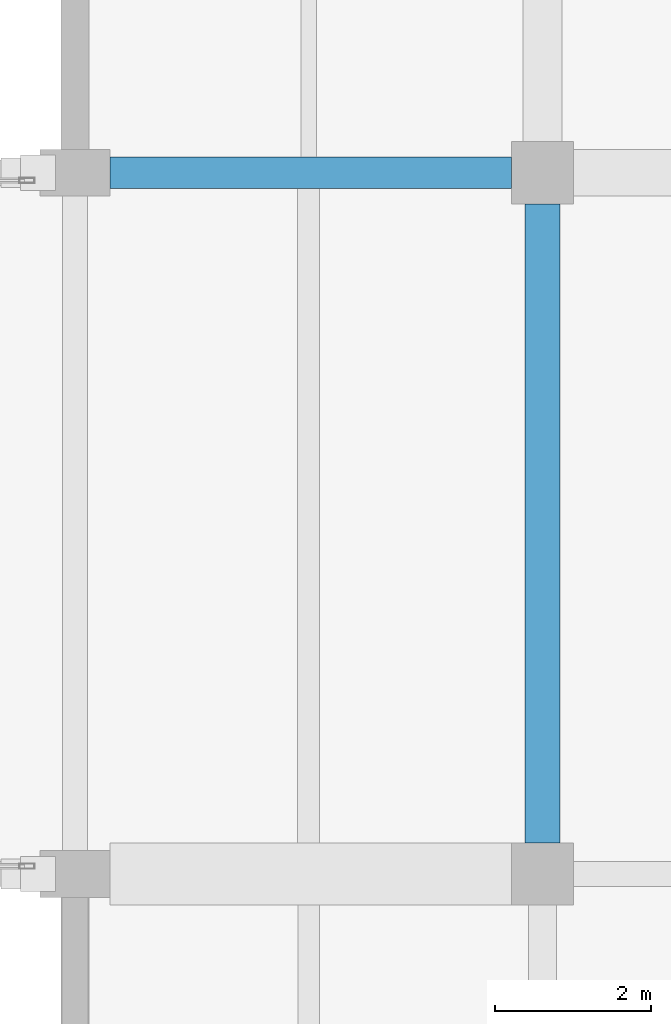
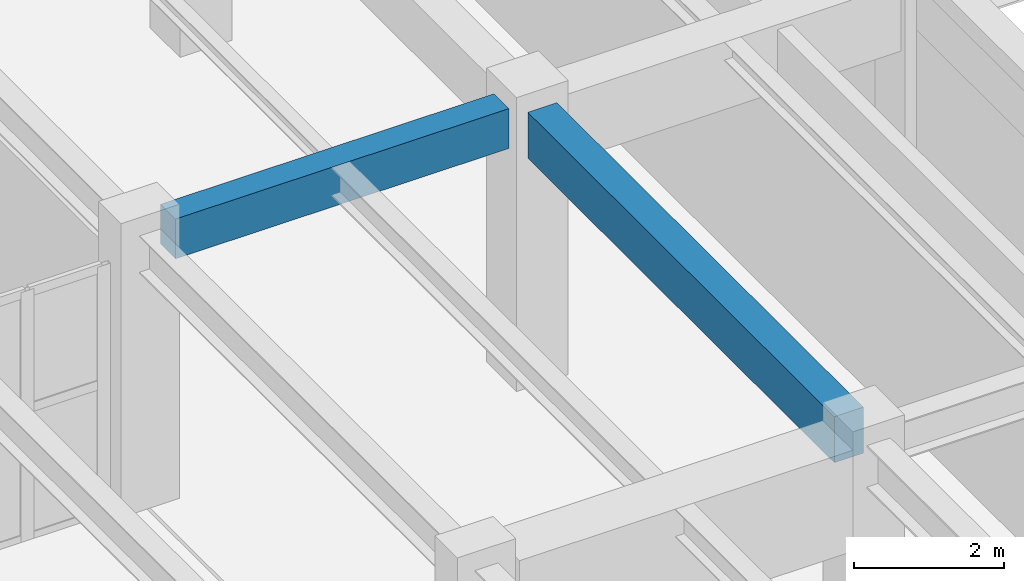
# One storey, part 18 of 96: 2 beams.
"""IFC4 building model written with IfcOpenShell, lengths in metres."""

from ifc_helpers import new_model, si_unit, direction, frame, origin, origin_2d, place, context, subcontext, project, spatial, rectangle, extrude, material, material_profile, profile_set, type_object, element, save


model = new_model("IFC4")

# Units and contexts
model_context = context("Model", 3, precision=1e-05, world=origin(), true_north=direction((0.0, 1.0)))
body_context = subcontext(model_context, "Body", "Model", "MODEL_VIEW")
ifc_project = project(units=[si_unit("LENGTHUNIT", "METRE"), si_unit("AREAUNIT", "SQUARE_METRE"), si_unit("VOLUMEUNIT", "CUBIC_METRE"), si_unit("PLANEANGLEUNIT", "RADIAN"), si_unit("MASSUNIT", "GRAM", prefix="KILO")], contexts=[model_context])

# Site, building, storey
site_placement = place(None, origin())
site = spatial("IfcSite", under=ifc_project, at=site_placement, CompositionType="ELEMENT")
building_placement = place(site_placement, origin())
building = spatial("IfcBuilding", under=site, at=building_placement, Name="Vaelkrest Opera House", CompositionType="ELEMENT")
storey_placement = place(building_placement, frame((0.0, 0.0, 5.39990234375)))
storey = spatial("IfcBuildingStorey", under=building, at=storey_placement, Name="L01", CompositionType="ELEMENT", Elevation=5.39990234375)

# Beams
ifc_material = material(Name="Concrete C50/60", Category="concrete")
ifc_material_profile_1 = material_profile(ifc_material, rectangle(XDim=0.39990234375, YDim=0.64990234375, at=origin_2d()), Name="RCB400X650")
ifc_profile_set_1 = profile_set([ifc_material_profile_1], Name="Concrete C50/60")
beam_type_1 = type_object("IfcBeamType", Name="B01", PredefinedType="BEAM", material=ifc_profile_set_1)
beam_1_placement = place(storey_placement, frame((-29.550048828125, 1.199951171875, 4.175048828125), z_axis=(1.0, 0.0, 0.0), x_axis=(0.0, 1.0, 0.0)))
element("IfcBeam", 1, at=beam_1_placement, inside=storey, type_object=beam_type_1, Name="Beam BM-V1-L01-0237", PredefinedType="BEAM", context=body_context, shape_type="SweptSolid", body=[
    extrude(rectangle(XDim=0.39990234375, YDim=0.64990234375, at=origin_2d()), origin(), (0.0, 0.0, 1.0), 5.150146484375),
])
ifc_material_profile_2 = material_profile(ifc_material, rectangle(XDim=0.449951171875, YDim=0.75, at=origin_2d()), Name="RCB450X750")
ifc_profile_set_2 = profile_set([ifc_material_profile_2], Name="Concrete C50/60")
beam_type_2 = type_object("IfcBeamType", Name="B02", PredefinedType="BEAM", material=ifc_profile_set_2)
beam_2_placement = place(storey_placement, frame((-24.0, -7.39990234375, 4.125), z_axis=(0.0, 1.0, 0.0), x_axis=(-1.0, 0.0, 0.0)))
element("IfcBeam", 2, at=beam_2_placement, inside=storey, type_object=beam_type_2, Name="Beam BM-V1-L01-0267", PredefinedType="BEAM", context=body_context, shape_type="SweptSolid", body=[
    extrude(rectangle(XDim=0.449951171875, YDim=0.75, at=origin_2d()), origin(), (0.0, 0.0, 1.0), 8.199951171875),
])

save(model, "model.ifc")
